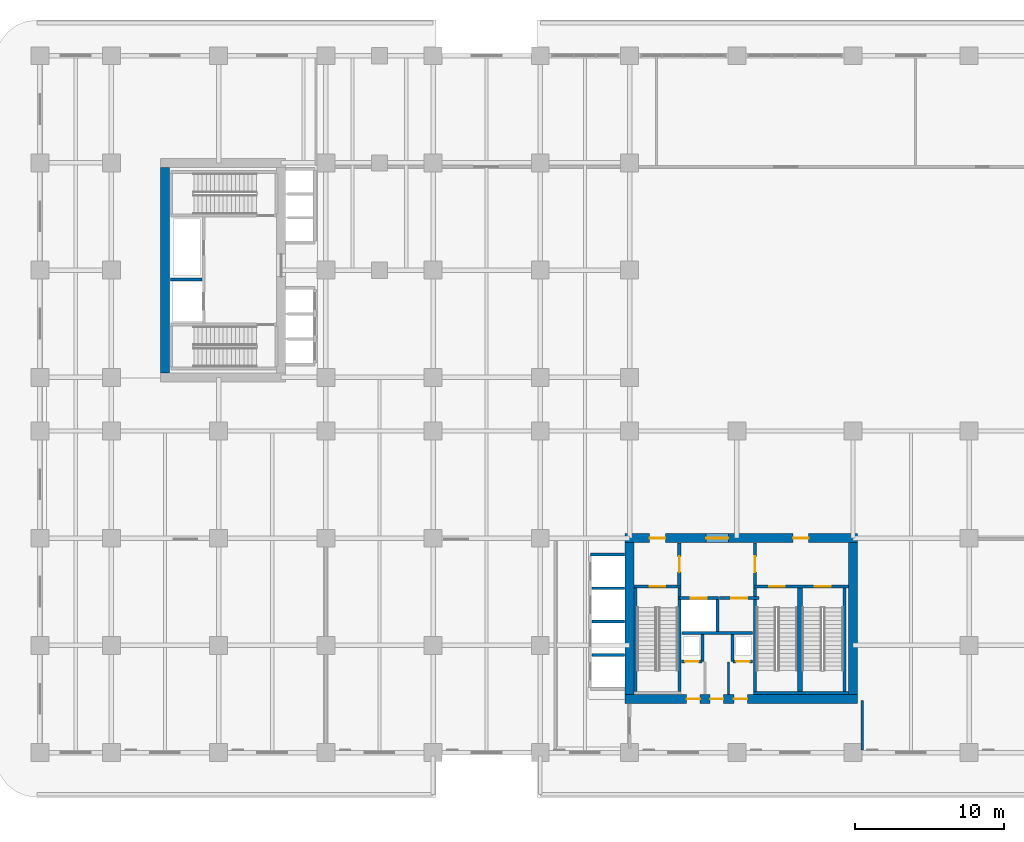
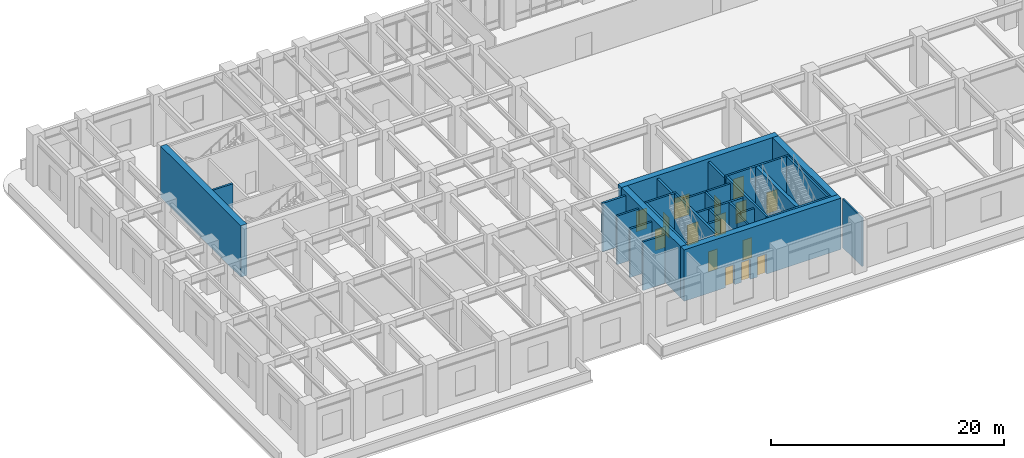
# One storey, part 11 of 20: 30 walls, 15 doors, 15 openings.
"""IFC4 building model written with IfcOpenShell, lengths in metres."""

from ifc_helpers import new_model, si_unit, derived_unit, direction, frame, frame_2d, origin, place, context, subcontext, project, spatial, rectangle, extrude, source, transform, mapped, material, layer, layer_set, type_object, type_shapes, element, fill, save


model = new_model("IFC4")

# Units and contexts
model_context = context("Model", 3, precision=1e-05, world=origin(), true_north=direction((0.0, 1.0)))
body_context = subcontext(model_context, "Body", "Model", "MODEL_VIEW")
ifc_project = project(units=[si_unit("LENGTHUNIT", "METRE"), si_unit("AREAUNIT", "SQUARE_METRE"), si_unit("VOLUMEUNIT", "CUBIC_METRE"), si_unit("PLANEANGLEUNIT", "RADIAN"), si_unit("MASSUNIT", "GRAM", prefix="KILO"), si_unit("THERMODYNAMICTEMPERATUREUNIT", "KELVIN"), si_unit("POWERUNIT", "WATT"), derived_unit("THERMALTRANSMITTANCEUNIT", [(si_unit("POWERUNIT", "WATT"), 1), (si_unit("AREAUNIT", "SQUARE_METRE"), -1), (si_unit("THERMODYNAMICTEMPERATUREUNIT", "KELVIN"), -1)])], contexts=[model_context])

# Site, building, storey
site_placement = place(None, origin())
site = spatial("IfcSite", under=ifc_project, at=site_placement, CompositionType="ELEMENT")
building_placement = place(site_placement, origin())
building = spatial("IfcBuilding", under=site, at=building_placement, Name="Zahravan Archway Hotel and Residences", CompositionType="ELEMENT")
storey_placement = place(building_placement, frame((0.0, 0.0, 16.199951171875)))
storey = spatial("IfcBuildingStorey", under=building, at=storey_placement, Name="L03", CompositionType="ELEMENT", Elevation=16.199951171875)

# Wall, openings, doors
ifc_material_1 = material(Name="Concrete C70/85", Category="concrete")
ifc_layer_1 = layer(ifc_material_1, 0.60009765625, Name="Concrete C70/85", Category="concrete")
ifc_layer_set_1 = layer_set([ifc_layer_1], Name="Concrete C70/85")
wall_type_1 = type_object("IfcWallType", Name="CW-CORE-600", PredefinedType="SHEAR", material=ifc_layer_set_1)
wall_1_placement = place(storey_placement, frame((34.5, 3.60009765625, 0.0), z_axis=(0.0, 0.0, 1.0), x_axis=(1.0, 0.0, 0.0)))
wall_1 = element("IfcWall", 1, at=wall_1_placement, inside=storey, type_object=wall_type_1, Name="L03 Core A Shear S Wall 600 mm", PredefinedType="SHEAR", context=body_context, shape_type="SweptSolid", body=[
    extrude(rectangle(XDim=15.60009765625, YDim=0.60009765625, at=frame_2d((7.800048828125, 0.0))), origin(), (0.0, 0.0, 1.0), 5.400146484375),
])
opening_1_placement = place(wall_1_placement, frame((4.1298828125, 0.0, 0.0)))
opening_1 = element("IfcOpeningElement", 2, at=opening_1_placement, cuts=wall_1, Name="Opening FD-R1", PredefinedType="OPENING", context=body_context, shape_type="SweptSolid", body=[
    extrude(rectangle(XDim=0.89990234375, YDim=2.10009765625, at=frame_2d((0.449951171875, 1.050048828125))), frame((0.0, 0.31005859375, 0.0), z_axis=(0.0, -1.0, 0.0), x_axis=(1.0, 0.0, 0.0)), (0.0, 0.0, 1.0), 0.6201171875),
])
opening_2_placement = place(wall_1_placement, frame((5.699951171875, 0.0, 0.0)))
opening_2 = element("IfcOpeningElement", 3, at=opening_2_placement, cuts=wall_1, Name="Opening FD-R1", PredefinedType="OPENING", context=body_context, shape_type="SweptSolid", body=[
    extrude(rectangle(XDim=0.89990234375, YDim=2.10009765625, at=frame_2d((0.449951171875, 1.050048828125))), frame((0.0, 0.31005859375, 0.0), z_axis=(0.0, -1.0, 0.0), x_axis=(1.0, 0.0, 0.0)), (0.0, 0.0, 1.0), 0.6201171875),
])
opening_3_placement = place(wall_1_placement, frame((7.300048828125, 0.0, 0.0)))
opening_3 = element("IfcOpeningElement", 4, at=opening_3_placement, cuts=wall_1, Name="Opening FD-R1", PredefinedType="OPENING", context=body_context, shape_type="SweptSolid", body=[
    extrude(rectangle(XDim=0.89990234375, YDim=2.10009765625, at=frame_2d((0.449951171875, 1.050048828125))), frame((0.0, 0.31005859375, 0.0), z_axis=(0.0, -1.0, 0.0), x_axis=(1.0, 0.0, 0.0)), (0.0, 0.0, 1.0), 0.6201171875),
])
ifc_material_2 = material(Name="Fire-Rated Painted Steel", Category="steel")
door_type_1 = type_object("IfcDoorType", Name="FD-RISER-900", OperationType="NOTDEFINED", PredefinedType="DOOR", material=ifc_material_2)
shared_shape_1 = source(origin(), body_context, "Body", "SweptSolid", [
    extrude(rectangle(XDim=0.89990234375, YDim=2.10009765625, at=frame_2d((0.449951171875, 1.050048828125))), frame((0.0, 0.02490234375, 0.0), z_axis=(0.0, -1.0, 0.0), x_axis=(1.0, 0.0, 0.0)), (0.0, 0.0, 1.0), 0.050048828125),
])
type_shapes(door_type_1, [shared_shape_1])
door_1_placement = place(opening_1_placement, origin())
door_1 = element("IfcDoor", 5, at=door_1_placement, inside=storey, type_object=door_type_1, Name="L03 Linen Store Door", OperationType="SINGLE_SWING_LEFT", OverallHeight=2.10009765625, OverallWidth=0.89990234375, PredefinedType="DOOR", context=body_context, shape_type="MappedRepresentation", body=[
    mapped(shared_shape_1, transform((0.0, 0.0, 0.0), scale=1.0)),
])
fill(opening_1, door_1)
door_2_placement = place(opening_2_placement, origin())
door_2 = element("IfcDoor", 6, at=door_2_placement, inside=storey, type_object=door_type_1, Name="L03 Housekeeping Store Door", OperationType="SINGLE_SWING_RIGHT", OverallHeight=2.10009765625, OverallWidth=0.89990234375, PredefinedType="DOOR", context=body_context, shape_type="MappedRepresentation", body=[
    mapped(shared_shape_1, transform((0.0, 0.0, 0.0), scale=1.0)),
])
fill(opening_2, door_2)
door_3_placement = place(opening_3_placement, origin())
door_3 = element("IfcDoor", 7, at=door_3_placement, inside=storey, type_object=door_type_1, Name="L03 Janitor Store Door", OperationType="SINGLE_SWING_LEFT", OverallHeight=2.10009765625, OverallWidth=0.89990234375, PredefinedType="DOOR", context=body_context, shape_type="MappedRepresentation", body=[
    mapped(shared_shape_1, transform((0.0, 0.0, 0.0), scale=1.0)),
])
fill(opening_3, door_3)

wall_2_placement = place(storey_placement, frame((34.5, 14.39990234375, 0.0), z_axis=(0.0, 0.0, 1.0), x_axis=(1.0, 0.0, 0.0)))
wall_2 = element("IfcWall", 8, at=wall_2_placement, inside=storey, type_object=wall_type_1, Name="L03 Core A Shear N Wall 600 mm", PredefinedType="SHEAR", context=body_context, shape_type="SweptSolid", body=[
    extrude(rectangle(XDim=15.60009765625, YDim=0.60009765625, at=frame_2d((7.800048828125, 0.0))), origin(), (0.0, 0.0, 1.0), 5.400146484375),
])
opening_4_placement = place(wall_2_placement, frame((5.429931640625, 0.0, 0.0)))
opening_4 = element("IfcOpeningElement", 9, at=opening_4_placement, cuts=wall_2, Name="Opening FD-L1", PredefinedType="OPENING", context=body_context, shape_type="SweptSolid", body=[
    extrude(rectangle(XDim=1.5, YDim=2.199951171875, at=frame_2d((0.75, 1.10009765625))), frame((0.0, 0.31005859375, 0.0), z_axis=(0.0, -1.0, 0.0), x_axis=(1.0, 0.0, 0.0)), (0.0, 0.0, 1.0), 0.6201171875),
])
opening_5_placement = place(wall_2_placement, frame((1.64501953125, 0.0, 0.0)))
opening_5 = element("IfcOpeningElement", 10, at=opening_5_placement, cuts=wall_2, Name="Opening FD-L2", PredefinedType="OPENING", context=body_context, shape_type="SweptSolid", body=[
    extrude(rectangle(XDim=1.050048828125, YDim=2.14990234375, at=frame_2d((0.52490234375, 1.074951171875))), frame((0.0, 0.31005859375, 0.0), z_axis=(0.0, -1.0, 0.0), x_axis=(1.0, 0.0, 0.0)), (0.0, 0.0, 1.0), 0.6201171875),
])
opening_6_placement = place(wall_2_placement, frame((11.27490234375, 0.0, 0.0)))
opening_6 = element("IfcOpeningElement", 11, at=opening_6_placement, cuts=wall_2, Name="Opening FD-L2", PredefinedType="OPENING", context=body_context, shape_type="SweptSolid", body=[
    extrude(rectangle(XDim=1.050048828125, YDim=2.14990234375, at=frame_2d((0.52490234375, 1.074951171875))), frame((0.0, 0.31005859375, 0.0), z_axis=(0.0, -1.0, 0.0), x_axis=(1.0, 0.0, 0.0)), (0.0, 0.0, 1.0), 0.6201171875),
])
door_type_2 = type_object("IfcDoorType", Name="FD-LOBBY-1100", OperationType="NOTDEFINED", PredefinedType="DOOR", material=ifc_material_2)
shared_shape_2 = source(origin(), body_context, "Body", "SweptSolid", [
    extrude(rectangle(XDim=1.050048828125, YDim=2.14990234375, at=frame_2d((0.52490234375, 1.074951171875))), frame((0.0, 0.02490234375, 0.0), z_axis=(0.0, -1.0, 0.0), x_axis=(1.0, 0.0, 0.0)), (0.0, 0.0, 1.0), 0.050048828125),
])
type_shapes(door_type_2, [shared_shape_2])
door_4_placement = place(opening_5_placement, origin())
door_4 = element("IfcDoor", 12, at=door_4_placement, inside=storey, type_object=door_type_2, Name="L03 Core A West Stair Lobby Door", OperationType="SINGLE_SWING_LEFT", OverallHeight=2.14990234375, OverallWidth=1.050048828125, PredefinedType="DOOR", context=body_context, shape_type="MappedRepresentation", body=[
    mapped(shared_shape_2, transform((0.0, 0.0, 0.0), scale=1.0)),
])
fill(opening_5, door_4)
door_5_placement = place(opening_6_placement, origin())
door_5 = element("IfcDoor", 13, at=door_5_placement, inside=storey, type_object=door_type_2, Name="L03 Core A East Stair Lobby Door", OperationType="SINGLE_SWING_RIGHT", OverallHeight=2.14990234375, OverallWidth=1.050048828125, PredefinedType="DOOR", context=body_context, shape_type="MappedRepresentation", body=[
    mapped(shared_shape_2, transform((0.0, 0.0, 0.0), scale=1.0)),
])
fill(opening_6, door_5)
door_type_3 = type_object("IfcDoorType", Name="FD-LOBBY-1500", OperationType="DOUBLE_DOOR_SINGLE_SWING", PredefinedType="DOOR", material=ifc_material_2)
shared_shape_3 = source(origin(), body_context, "Body", "SweptSolid", [
    extrude(rectangle(XDim=1.5, YDim=2.199951171875, at=frame_2d((0.75, 1.10009765625))), frame((0.0, 0.02490234375, 0.0), z_axis=(0.0, -1.0, 0.0), x_axis=(1.0, 0.0, 0.0)), (0.0, 0.0, 1.0), 0.050048828125),
])
type_shapes(door_type_3, [shared_shape_3])
door_6_placement = place(opening_4_placement, origin())
door_6 = element("IfcDoor", 14, at=door_6_placement, inside=storey, type_object=door_type_3, Name="L03 Core A FSAE Lobby Main Door", OperationType="DOUBLE_DOOR_SINGLE_SWING", OverallHeight=2.199951171875, OverallWidth=1.5, PredefinedType="DOOR", context=body_context, shape_type="MappedRepresentation", body=[
    mapped(shared_shape_3, transform((0.0, 0.0, 0.0), scale=1.0)),
])
fill(opening_4, door_6)

# Walls
for number, where, z_axis, x_axis, name in (
    (15, (34.800048828125, 3.89990234375, 0.0), (0.0, 0.0, 1.0), (0.0, 1.0, 0.0), "L03 Core A Shear W Wall 600 mm"),
    (16, (49.800048828125, 3.89990234375, 0.0), (0.0, 0.0, 1.0), (0.0, 1.0, 0.0), "L03 Core A Shear E Wall 600 mm"),
):
    element("IfcWall", number, at=place(storey_placement, frame(where, z_axis=z_axis, x_axis=x_axis)), inside=storey, type_object=wall_type_1, Name=name, PredefinedType="SHEAR", context=body_context, shape_type="SweptSolid", body=[
        extrude(rectangle(XDim=10.2001953125, YDim=0.60009765625, at=frame_2d((5.10009765625, 0.0))), origin(), (0.0, 0.0, 1.0), 5.400146484375),
    ])
wall_3_placement = place(storey_placement, frame((3.60009765625, 25.5, 0.0), z_axis=(0.0, 0.0, 1.0), x_axis=(0.0, 1.0, 0.0)))
element("IfcWall", 17, at=wall_3_placement, inside=storey, type_object=wall_type_1, Name="L03 Core B Shear W Wall 600 mm", PredefinedType="SHEAR", context=body_context, shape_type="SweptSolid", body=[
    extrude(rectangle(XDim=13.800048828125, YDim=0.60009765625, at=frame_2d((6.89990234375, 0.0))), origin(), (0.0, 0.0, 1.0), 5.400146484375),
])

# Wall, opening, door
ifc_material_3 = material(Name="Fire-Rated Gypsum & Concrete Block", Category="concrete")
ifc_layer_2 = layer(ifc_material_3, 0.219970703125, Name="Fire-Rated Gypsum & Concrete Block", Category="concrete")
ifc_layer_set_2 = layer_set([ifc_layer_2], Name="Fire-Rated Gypsum & Concrete Block")
wall_type_2 = type_object("IfcWallType", Name="PW-COMP-220", PredefinedType="PARTITIONING", material=ifc_layer_set_2)
wall_4_placement = place(storey_placement, frame((38.139892578125, 11.219970703125, 0.0), z_axis=(0.0, 0.0, 1.0), x_axis=(0.0, 1.0, 0.0)))
wall_4 = element("IfcWall", 18, at=wall_4_placement, inside=storey, type_object=wall_type_2, Name="L03 Partition CA-LOBW", PredefinedType="PARTITIONING", context=body_context, shape_type="SweptSolid", body=[
    extrude(rectangle(XDim=2.860107421875, YDim=0.219970703125, at=frame_2d((1.43017578125, 0.0))), origin(), (0.0, 0.0, 1.0), 5.10009765625),
])
opening_7_placement = place(wall_4_placement, frame((0.905029296875, 0.0, 0.0)))
opening_7 = element("IfcOpeningElement", 19, at=opening_7_placement, cuts=wall_4, Name="Opening FD-L2", PredefinedType="OPENING", context=body_context, shape_type="SweptSolid", body=[
    extrude(rectangle(XDim=1.050048828125, YDim=2.14990234375, at=frame_2d((0.52490234375, 1.074951171875))), frame((0.0, 0.1201171875, 0.0), z_axis=(0.0, -1.0, 0.0), x_axis=(1.0, 0.0, 0.0)), (0.0, 0.0, 1.0), 0.239990234375),
])
door_7_placement = place(opening_7_placement, origin())
door_7 = element("IfcDoor", 20, at=door_7_placement, inside=storey, type_object=door_type_2, Name="L03 Core A West Stair to FSAE Lobby Door", OperationType="SINGLE_SWING_LEFT", OverallHeight=2.14990234375, OverallWidth=1.050048828125, PredefinedType="DOOR", context=body_context, shape_type="MappedRepresentation", body=[
    mapped(shared_shape_2, transform((0.0, 0.0, 0.0), scale=1.0)),
])
fill(opening_7, door_7)

wall_5_placement = place(storey_placement, frame((43.219970703125, 11.219970703125, 0.0), z_axis=(0.0, 0.0, 1.0), x_axis=(0.0, 1.0, 0.0)))
wall_5 = element("IfcWall", 21, at=wall_5_placement, inside=storey, type_object=wall_type_2, Name="L03 Partition CA-LOBE", PredefinedType="PARTITIONING", context=body_context, shape_type="SweptSolid", body=[
    extrude(rectangle(XDim=2.860107421875, YDim=0.219970703125, at=frame_2d((1.43017578125, 0.0))), origin(), (0.0, 0.0, 1.0), 5.10009765625),
])
opening_8_placement = place(wall_5_placement, frame((0.905029296875, 0.0, 0.0)))
opening_8 = element("IfcOpeningElement", 22, at=opening_8_placement, cuts=wall_5, Name="Opening FD-L2", PredefinedType="OPENING", context=body_context, shape_type="SweptSolid", body=[
    extrude(rectangle(XDim=1.050048828125, YDim=2.14990234375, at=frame_2d((0.52490234375, 1.074951171875))), frame((0.0, 0.1201171875, 0.0), z_axis=(0.0, -1.0, 0.0), x_axis=(1.0, 0.0, 0.0)), (0.0, 0.0, 1.0), 0.239990234375),
])
door_8_placement = place(opening_8_placement, origin())
door_8 = element("IfcDoor", 23, at=door_8_placement, inside=storey, type_object=door_type_2, Name="L03 Core A East Stair to FSAE Lobby Door", OperationType="SINGLE_SWING_RIGHT", OverallHeight=2.14990234375, OverallWidth=1.050048828125, PredefinedType="DOOR", context=body_context, shape_type="MappedRepresentation", body=[
    mapped(shared_shape_2, transform((0.0, 0.0, 0.0), scale=1.0)),
])
fill(opening_8, door_8)

# Walls
ifc_layer_3 = layer(ifc_material_3, 0.159912109375, Name="Fire-Rated Gypsum & Concrete Block", Category="concrete")
ifc_layer_set_3 = layer_set([ifc_layer_3], Name="Fire-Rated Gypsum & Concrete Block")
wall_type_3 = type_object("IfcWallType", Name="PW-CORR-160", PredefinedType="PARTITIONING", material=ifc_layer_set_3)
wall_6_placement = place(storey_placement, frame((50.419921875, 0.16796875, 0.0), z_axis=(0.0, 0.0, 1.0), x_axis=(0.0, 1.0, 0.0)))
element("IfcWall", 24, at=wall_6_placement, inside=storey, type_object=wall_type_3, Name="L03 Partition L03-CASE", PredefinedType="PARTITIONING", context=body_context, shape_type="SweptSolid", body=[
    extrude(rectangle(XDim=3.342041015625, YDim=0.159912109375, at=frame_2d((1.6708984375, 0.0))), origin(), (0.0, 0.0, 1.0), 5.10009765625),
])
ifc_layer_4 = layer(ifc_material_3, 0.199951171875, Name="Fire-Rated Gypsum & Concrete Block", Category="concrete")
ifc_layer_set_4 = layer_set([ifc_layer_4], Name="Fire-Rated Gypsum & Concrete Block")
wall_type_4 = type_object("IfcWallType", Name="PW-SHAFT-200", PredefinedType="PARTITIONING", material=ifc_layer_set_4)
wall_7_placement = place(storey_placement, frame((38.300048828125, 8.030029296875, 0.0), z_axis=(0.0, 0.0, 1.0), x_axis=(1.0, 0.0, 0.0)))
element("IfcWall", 25, at=wall_7_placement, inside=storey, type_object=wall_type_4, Name="L03 Partition CA-FLS", PredefinedType="PARTITIONING", context=body_context, shape_type="SweptSolid", body=[
    extrude(rectangle(XDim=4.739990234375, YDim=0.199951171875, at=frame_2d((2.3701171875, 0.0))), origin(), (0.0, 0.0, 1.0), 5.10009765625),
])
wall_8_placement = place(storey_placement, frame((40.699951171875, 8.1201171875, 0.0), z_axis=(0.0, 0.0, 1.0), x_axis=(0.0, 1.0, 0.0)))
element("IfcWall", 26, at=wall_8_placement, inside=storey, type_object=wall_type_4, Name="L03 Partition CA-FLM", PredefinedType="PARTITIONING", context=body_context, shape_type="SweptSolid", body=[
    extrude(rectangle(XDim=2.179931640625, YDim=0.199951171875, at=frame_2d((1.08984375, 0.0))), origin(), (0.0, 0.0, 1.0), 5.10009765625),
])

# Wall, opening, door
wall_9_placement = place(storey_placement, frame((38.2900390625, 6.1201171875, 0.0), z_axis=(0.0, 0.0, 1.0), x_axis=(1.0, 0.0, 0.0)))
wall_9 = element("IfcWall", 27, at=wall_9_placement, inside=storey, type_object=wall_type_4, Name="L03 Partition CA-SMKS", PredefinedType="PARTITIONING", context=body_context, shape_type="SweptSolid", body=[
    extrude(rectangle(XDim=1.3798828125, YDim=0.199951171875, at=frame_2d((0.68994140625, 0.0))), origin(), (0.0, 0.0, 1.0), 5.10009765625),
])
opening_9_placement = place(wall_9_placement, frame((0.239990234375, 0.0, 0.0)))
opening_9 = element("IfcOpeningElement", 28, at=opening_9_placement, cuts=wall_9, Name="Opening FD-R1", PredefinedType="OPENING", context=body_context, shape_type="SweptSolid", body=[
    extrude(rectangle(XDim=0.89990234375, YDim=2.10009765625, at=frame_2d((0.449951171875, 1.050048828125))), frame((0.0, 0.10986328125, 0.0), z_axis=(0.0, -1.0, 0.0), x_axis=(1.0, 0.0, 0.0)), (0.0, 0.0, 1.0), 0.219970703125),
])
door_9_placement = place(opening_9_placement, origin())
door_9 = element("IfcDoor", 29, at=door_9_placement, inside=storey, type_object=door_type_1, Name="L03 Smoke Riser Access Door", OperationType="SINGLE_SWING_LEFT", OverallHeight=2.10009765625, OverallWidth=0.89990234375, PredefinedType="DOOR", context=body_context, shape_type="MappedRepresentation", body=[
    mapped(shared_shape_1, transform((0.0, 0.0, 0.0), scale=1.0)),
])
fill(opening_9, door_9)

# Wall
wall_10_placement = place(storey_placement, frame((39.679931640625, 6.1298828125, 0.0), z_axis=(0.0, 0.0, 1.0), x_axis=(0.0, 1.0, 0.0)))
element("IfcWall", 30, at=wall_10_placement, inside=storey, type_object=wall_type_4, Name="L03 Partition CA-SMKE", PredefinedType="PARTITIONING", context=body_context, shape_type="SweptSolid", body=[
    extrude(rectangle(XDim=1.7900390625, YDim=0.199951171875, at=frame_2d((0.89501953125, 0.0))), origin(), (0.0, 0.0, 1.0), 5.10009765625),
])

# Wall, opening, door
wall_11_placement = place(storey_placement, frame((41.72998046875, 6.1201171875, 0.0), z_axis=(0.0, 0.0, 1.0), x_axis=(1.0, 0.0, 0.0)))
wall_11 = element("IfcWall", 31, at=wall_11_placement, inside=storey, type_object=wall_type_4, Name="L03 Partition CA-MEPS", PredefinedType="PARTITIONING", context=body_context, shape_type="SweptSolid", body=[
    extrude(rectangle(XDim=1.320068359375, YDim=0.199951171875, at=frame_2d((0.66015625, 0.0))), origin(), (0.0, 0.0, 1.0), 5.10009765625),
])
opening_10_placement = place(wall_11_placement, frame((0.219970703125, 0.0, 0.0)))
opening_10 = element("IfcOpeningElement", 32, at=opening_10_placement, cuts=wall_11, Name="Opening FD-R1", PredefinedType="OPENING", context=body_context, shape_type="SweptSolid", body=[
    extrude(rectangle(XDim=0.89990234375, YDim=2.10009765625, at=frame_2d((0.449951171875, 1.050048828125))), frame((0.0, 0.10986328125, 0.0), z_axis=(0.0, -1.0, 0.0), x_axis=(1.0, 0.0, 0.0)), (0.0, 0.0, 1.0), 0.219970703125),
])
door_10_placement = place(opening_10_placement, origin())
door_10 = element("IfcDoor", 33, at=door_10_placement, inside=storey, type_object=door_type_1, Name="L03 MEP Riser Access Door", OperationType="SINGLE_SWING_RIGHT", OverallHeight=2.10009765625, OverallWidth=0.89990234375, PredefinedType="DOOR", context=body_context, shape_type="MappedRepresentation", body=[
    mapped(shared_shape_1, transform((0.0, 0.0, 0.0), scale=1.0)),
])
fill(opening_10, door_10)

# Walls
wall_12_placement = place(storey_placement, frame((41.719970703125, 6.1298828125, 0.0), z_axis=(0.0, 0.0, 1.0), x_axis=(0.0, 1.0, 0.0)))
element("IfcWall", 34, at=wall_12_placement, inside=storey, type_object=wall_type_4, Name="L03 Partition CA-MEPW", PredefinedType="PARTITIONING", context=body_context, shape_type="SweptSolid", body=[
    extrude(rectangle(XDim=1.7900390625, YDim=0.199951171875, at=frame_2d((0.89501953125, 0.0))), origin(), (0.0, 0.0, 1.0), 5.10009765625),
])
wall_13_placement = place(storey_placement, frame((32.159912109375, 13.320068359375, 0.0), z_axis=(0.0, 0.0, 1.0), x_axis=(1.0, 0.0, 0.0)))
element("IfcWall", 35, at=wall_13_placement, inside=storey, type_object=wall_type_4, Name="L03 Partition B3-N", PredefinedType="PARTITIONING", context=body_context, shape_type="SweptSolid", body=[
    extrude(rectangle(XDim=2.31005859375, YDim=0.199951171875, at=frame_2d((1.155029296875, 0.0))), origin(), (0.0, 0.0, 1.0), 5.10009765625),
])
for number, where, z_axis, x_axis, name in (
    (36, (32.260009765625, 6.56005859375, 0.0), (0.0, 0.0, 1.0), (1.0, 0.0, 0.0), "L03 Partition B3-D"),
    (37, (32.260009765625, 8.800048828125, 0.0), (0.0, 0.0, 1.0), (1.0, 0.0, 0.0), "L03 Partition B3-D"),
    (38, (32.260009765625, 11.0400390625, 0.0), (0.0, 0.0, 1.0), (1.0, 0.0, 0.0), "L03 Partition B3-D"),
):
    element("IfcWall", number, at=place(storey_placement, frame(where, z_axis=z_axis, x_axis=x_axis)), inside=storey, type_object=wall_type_4, Name=name, PredefinedType="PARTITIONING", context=body_context, shape_type="SweptSolid", body=[
        extrude(rectangle(XDim=2.179931640625, YDim=0.199951171875, at=frame_2d((1.08984375, 0.0))), origin(), (0.0, 0.0, 1.0), 5.10009765625),
    ])
wall_14_placement = place(storey_placement, frame((3.9599609375, 31.780029296875, 0.0), z_axis=(0.0, 0.0, 1.0), x_axis=(1.0, 0.0, 0.0)))
element("IfcWall", 39, at=wall_14_placement, inside=storey, type_object=wall_type_4, Name="L03 Partition CB-FL3N", PredefinedType="PARTITIONING", context=body_context, shape_type="SweptSolid", body=[
    extrude(rectangle(XDim=2.130126953125, YDim=0.199951171875, at=frame_2d((1.06494140625, 0.0))), origin(), (0.0, 0.0, 1.0), 5.10009765625),
])

# Wall, opening, door
wall_15_placement = place(storey_placement, frame((38.1201171875, 10.3701171875, 0.0), z_axis=(0.0, 0.0, 1.0), x_axis=(1.0, 0.0, 0.0)))
wall_15 = element("IfcWall", 40, at=wall_15_placement, inside=storey, type_object=wall_type_4, Name="L03 Lift FL-1 Front Wall", PredefinedType="PARTITIONING", context=body_context, shape_type="SweptSolid", body=[
    extrude(rectangle(XDim=2.639892578125, YDim=0.199951171875, at=frame_2d((1.31982421875, 0.0))), origin(), (0.0, 0.0, 1.0), 5.10009765625),
])
opening_11_placement = place(wall_15_placement, frame((0.77001953125, 0.0, 0.0)))
opening_11 = element("IfcOpeningElement", 41, at=opening_11_placement, cuts=wall_15, Name="Opening LD", PredefinedType="OPENING", context=body_context, shape_type="SweptSolid", body=[
    extrude(rectangle(XDim=1.10009765625, YDim=2.199951171875, at=frame_2d((0.550048828125, 1.10009765625))), frame((0.0, 0.10986328125, 0.0), z_axis=(0.0, -1.0, 0.0), x_axis=(1.0, 0.0, 0.0)), (0.0, 0.0, 1.0), 0.219970703125),
])
ifc_material_4 = material(Name="Brushed Stainless Steel", Category="steel")
door_type_4 = type_object("IfcDoorType", Name="DR-LIFT-LD", OperationType="SLIDING_TO_LEFT", PredefinedType="DOOR", material=ifc_material_4)
shared_shape_4 = source(origin(), body_context, "Body", "SweptSolid", [
    extrude(rectangle(XDim=1.10009765625, YDim=2.199951171875, at=frame_2d((0.550048828125, 1.10009765625))), frame((0.0, 0.02490234375, 0.0), z_axis=(0.0, -1.0, 0.0), x_axis=(1.0, 0.0, 0.0)), (0.0, 0.0, 1.0), 0.050048828125),
])
type_shapes(door_type_4, [shared_shape_4])
door_11_placement = place(opening_11_placement, origin())
door_11 = element("IfcDoor", 42, at=door_11_placement, inside=storey, type_object=door_type_4, Name="L03 Lift FL-1 Sliding Landing Door", OperationType="SLIDING_TO_LEFT", OverallHeight=2.199951171875, OverallWidth=1.10009765625, PredefinedType="DOOR", context=body_context, shape_type="MappedRepresentation", body=[
    mapped(shared_shape_4, transform((0.0, 0.0, 0.0), scale=1.0)),
])
fill(opening_11, door_11)

wall_16_placement = place(storey_placement, frame((40.840087890625, 10.3701171875, 0.0), z_axis=(0.0, 0.0, 1.0), x_axis=(1.0, 0.0, 0.0)))
wall_16 = element("IfcWall", 43, at=wall_16_placement, inside=storey, type_object=wall_type_4, Name="L03 Lift FL-2 Front Wall", PredefinedType="PARTITIONING", context=body_context, shape_type="SweptSolid", body=[
    extrude(rectangle(XDim=2.639892578125, YDim=0.199951171875, at=frame_2d((1.31982421875, 0.0))), origin(), (0.0, 0.0, 1.0), 5.10009765625),
])
opening_12_placement = place(wall_16_placement, frame((0.77001953125, 0.0, 0.0)))
opening_12 = element("IfcOpeningElement", 44, at=opening_12_placement, cuts=wall_16, Name="Opening LD", PredefinedType="OPENING", context=body_context, shape_type="SweptSolid", body=[
    extrude(rectangle(XDim=1.10009765625, YDim=2.199951171875, at=frame_2d((0.550048828125, 1.10009765625))), frame((0.0, 0.10986328125, 0.0), z_axis=(0.0, -1.0, 0.0), x_axis=(1.0, 0.0, 0.0)), (0.0, 0.0, 1.0), 0.219970703125),
])
door_12_placement = place(opening_12_placement, origin())
door_12 = element("IfcDoor", 45, at=door_12_placement, inside=storey, type_object=door_type_4, Name="L03 Lift FL-2 Sliding Landing Door", OperationType="SLIDING_TO_LEFT", OverallHeight=2.199951171875, OverallWidth=1.10009765625, PredefinedType="DOOR", context=body_context, shape_type="MappedRepresentation", body=[
    mapped(shared_shape_4, transform((0.0, 0.0, 0.0), scale=1.0)),
])
fill(opening_12, door_12)

# Walls
ifc_material_5 = material(Name="Moisture-Resistant Blockwork", Category="masonry")
ifc_layer_5 = layer(ifc_material_5, 0.139892578125, Name="Moisture-Resistant Blockwork", Category="masonry")
ifc_layer_set_5 = layer_set([ifc_layer_5], Name="Moisture-Resistant Blockwork")
wall_type_5 = type_object("IfcWallType", Name="PW-WET-140", PredefinedType="PARTITIONING", material=ifc_layer_set_5)
wall_17_placement = place(storey_placement, frame((41.449951171875, 3.919921875, 0.0), z_axis=(0.0, 0.0, 1.0), x_axis=(0.0, 1.0, 0.0)))
element("IfcWall", 46, at=wall_17_placement, inside=storey, type_object=wall_type_5, Name="L03 Partition CA-CV1B", PredefinedType="PARTITIONING", context=body_context, shape_type="SweptSolid", body=[
    extrude(rectangle(XDim=2.16015625, YDim=0.139892578125, at=frame_2d((1.080078125, 0.0))), origin(), (0.0, 0.0, 1.0), 5.10009765625),
])
ifc_material_6 = material(Name="Concrete C50/60", Category="concrete")
ifc_layer_6 = layer(ifc_material_6, 0.199951171875, Name="Concrete C50/60", Category="concrete")
ifc_layer_set_6 = layer_set([ifc_layer_6], Name="Concrete C50/60")
wall_type_6 = type_object("IfcWallType", Name="SW-STAIR-200", PredefinedType="SHEAR", material=ifc_layer_set_6)
for number, where, z_axis, x_axis, name in (
    (47, (35.199951171875, 4.10009765625, 0.0), (0.0, 0.0, 1.0), (0.0, 1.0, 0.0), "L03 Stairwell RC Wall CA-SA1W"),
    (48, (38.139892578125, 4.10009765625, 0.0), (0.0, 0.0, 1.0), (0.0, 1.0, 0.0), "L03 Stairwell RC Wall CA-SA1E"),
):
    element("IfcWall", number, at=place(storey_placement, frame(where, z_axis=z_axis, x_axis=x_axis)), inside=storey, type_object=wall_type_6, Name=name, PredefinedType="SHEAR", context=body_context, shape_type="SweptSolid", body=[
        extrude(rectangle(XDim=6.949951171875, YDim=0.199951171875, at=frame_2d((3.47509765625, 0.0))), origin(), (0.0, 0.0, 1.0), 5.400146484375),
    ])

# Wall, opening, door
wall_18_placement = place(storey_placement, frame((35.10009765625, 11.14990234375, 0.0), z_axis=(0.0, 0.0, 1.0), x_axis=(1.0, 0.0, 0.0)))
wall_18 = element("IfcWall", 49, at=wall_18_placement, inside=storey, type_object=wall_type_6, Name="L03 Stairwell RC Wall CA-SA1N", PredefinedType="SHEAR", context=body_context, shape_type="SweptSolid", body=[
    extrude(rectangle(XDim=3.139892578125, YDim=0.199951171875, at=frame_2d((1.56982421875, 0.0))), origin(), (0.0, 0.0, 1.0), 5.400146484375),
])
opening_13_placement = place(wall_18_placement, frame((1.044921875, 0.0, 0.0)))
opening_13 = element("IfcOpeningElement", 50, at=opening_13_placement, cuts=wall_18, Name="Opening FD-S1", PredefinedType="OPENING", context=body_context, shape_type="SweptSolid", body=[
    extrude(rectangle(XDim=1.050048828125, YDim=2.199951171875, at=frame_2d((0.52490234375, 1.10009765625))), frame((0.0, 0.10986328125, 0.0), z_axis=(0.0, -1.0, 0.0), x_axis=(1.0, 0.0, 0.0)), (0.0, 0.0, 1.0), 0.219970703125),
])
door_type_5 = type_object("IfcDoorType", Name="FD-STAIR-1100", OperationType="NOTDEFINED", PredefinedType="DOOR", material=ifc_material_2)
shared_shape_5 = source(origin(), body_context, "Body", "SweptSolid", [
    extrude(rectangle(XDim=1.050048828125, YDim=2.199951171875, at=frame_2d((0.52490234375, 1.10009765625))), frame((0.0, 0.02490234375, 0.0), z_axis=(0.0, -1.0, 0.0), x_axis=(1.0, 0.0, 0.0)), (0.0, 0.0, 1.0), 0.050048828125),
])
type_shapes(door_type_5, [shared_shape_5])
door_13_placement = place(opening_13_placement, origin())
door_13 = element("IfcDoor", 51, at=door_13_placement, inside=storey, type_object=door_type_5, Name="L03 Stair ST-A1 Door", OperationType="SINGLE_SWING_RIGHT", OverallHeight=2.199951171875, OverallWidth=1.050048828125, PredefinedType="DOOR", context=body_context, shape_type="MappedRepresentation", body=[
    mapped(shared_shape_5, transform((0.0, 0.0, 0.0), scale=1.0)),
])
fill(opening_13, door_13)

# Walls
wall_19_placement = place(storey_placement, frame((43.1201171875, 4.0, 0.0), z_axis=(0.0, 0.0, 1.0), x_axis=(1.0, 0.0, 0.0)))
element("IfcWall", 52, at=wall_19_placement, inside=storey, type_object=wall_type_6, Name="L03 Stairwell RC Wall CA-SA23S", PredefinedType="SHEAR", context=body_context, shape_type="SweptSolid", body=[
    extrude(rectangle(XDim=6.3798828125, YDim=0.199951171875, at=frame_2d((3.18994140625, 0.0))), origin(), (0.0, 0.0, 1.0), 5.400146484375),
])
for number, where, z_axis, x_axis, name in (
    (53, (43.219970703125, 4.10009765625, 0.0), (0.0, 0.0, 1.0), (0.0, 1.0, 0.0), "L03 Stairwell RC Wall CA-SA2W"),
    (54, (49.239990234375, 4.10009765625, 0.0), (0.0, 0.0, 1.0), (0.0, 1.0, 0.0), "L03 Stairwell RC Wall CA-SA3E"),
):
    element("IfcWall", number, at=place(storey_placement, frame(where, z_axis=z_axis, x_axis=x_axis)), inside=storey, type_object=wall_type_6, Name=name, PredefinedType="SHEAR", context=body_context, shape_type="SweptSolid", body=[
        extrude(rectangle(XDim=6.949951171875, YDim=0.199951171875, at=frame_2d((3.47509765625, 0.0))), origin(), (0.0, 0.0, 1.0), 5.400146484375),
    ])

# Wall, openings, doors
wall_20_placement = place(storey_placement, frame((43.1201171875, 11.14990234375, 0.0), z_axis=(0.0, 0.0, 1.0), x_axis=(1.0, 0.0, 0.0)))
wall_20 = element("IfcWall", 55, at=wall_20_placement, inside=storey, type_object=wall_type_6, Name="L03 Stairwell RC Wall CA-SA23N", PredefinedType="SHEAR", context=body_context, shape_type="SweptSolid", body=[
    extrude(rectangle(XDim=6.3798828125, YDim=0.199951171875, at=frame_2d((3.18994140625, 0.0))), origin(), (0.0, 0.0, 1.0), 5.400146484375),
])
opening_14_placement = place(wall_20_placement, frame((1.044921875, 0.0, 0.0)))
opening_14 = element("IfcOpeningElement", 56, at=opening_14_placement, cuts=wall_20, Name="Opening FD-S1", PredefinedType="OPENING", context=body_context, shape_type="SweptSolid", body=[
    extrude(rectangle(XDim=1.050048828125, YDim=2.199951171875, at=frame_2d((0.52490234375, 1.10009765625))), frame((0.0, 0.10986328125, 0.0), z_axis=(0.0, -1.0, 0.0), x_axis=(1.0, 0.0, 0.0)), (0.0, 0.0, 1.0), 0.219970703125),
])
opening_15_placement = place(wall_20_placement, frame((4.125, 0.0, 0.0)))
opening_15 = element("IfcOpeningElement", 57, at=opening_15_placement, cuts=wall_20, Name="Opening FD-S1", PredefinedType="OPENING", context=body_context, shape_type="SweptSolid", body=[
    extrude(rectangle(XDim=1.050048828125, YDim=2.199951171875, at=frame_2d((0.52490234375, 1.10009765625))), frame((0.0, 0.10986328125, 0.0), z_axis=(0.0, -1.0, 0.0), x_axis=(1.0, 0.0, 0.0)), (0.0, 0.0, 1.0), 0.219970703125),
])
door_14_placement = place(opening_14_placement, origin())
door_14 = element("IfcDoor", 58, at=door_14_placement, inside=storey, type_object=door_type_5, Name="L03 Stair ST-A2 Door", OperationType="SINGLE_SWING_LEFT", OverallHeight=2.199951171875, OverallWidth=1.050048828125, PredefinedType="DOOR", context=body_context, shape_type="MappedRepresentation", body=[
    mapped(shared_shape_5, transform((0.0, 0.0, 0.0), scale=1.0)),
])
fill(opening_14, door_14)
door_15_placement = place(opening_15_placement, origin())
door_15 = element("IfcDoor", 59, at=door_15_placement, inside=storey, type_object=door_type_5, Name="L03 Stair ST-A3 Door", OperationType="SINGLE_SWING_RIGHT", OverallHeight=2.199951171875, OverallWidth=1.050048828125, PredefinedType="DOOR", context=body_context, shape_type="MappedRepresentation", body=[
    mapped(shared_shape_5, transform((0.0, 0.0, 0.0), scale=1.0)),
])
fill(opening_15, door_15)

# Wall
ifc_layer_7 = layer(ifc_material_6, 0.340087890625, Name="Concrete C50/60", Category="concrete")
ifc_layer_set_7 = layer_set([ifc_layer_7], Name="Concrete C50/60")
wall_type_7 = type_object("IfcWallType", Name="SW-STAIR-340", PredefinedType="SHEAR", material=ifc_layer_set_7)
wall_21_placement = place(storey_placement, frame((46.22998046875, 4.10009765625, 0.0), z_axis=(0.0, 0.0, 1.0), x_axis=(0.0, 1.0, 0.0)))
element("IfcWall", 60, at=wall_21_placement, inside=storey, type_object=wall_type_7, Name="L03 Stairwell RC Wall CA-SA23M", PredefinedType="SHEAR", context=body_context, shape_type="SweptSolid", body=[
    extrude(rectangle(XDim=6.949951171875, YDim=0.340087890625, at=frame_2d((3.47509765625, 0.0))), origin(), (0.0, 0.0, 1.0), 5.400146484375),
])

save(model, "model.ifc")
